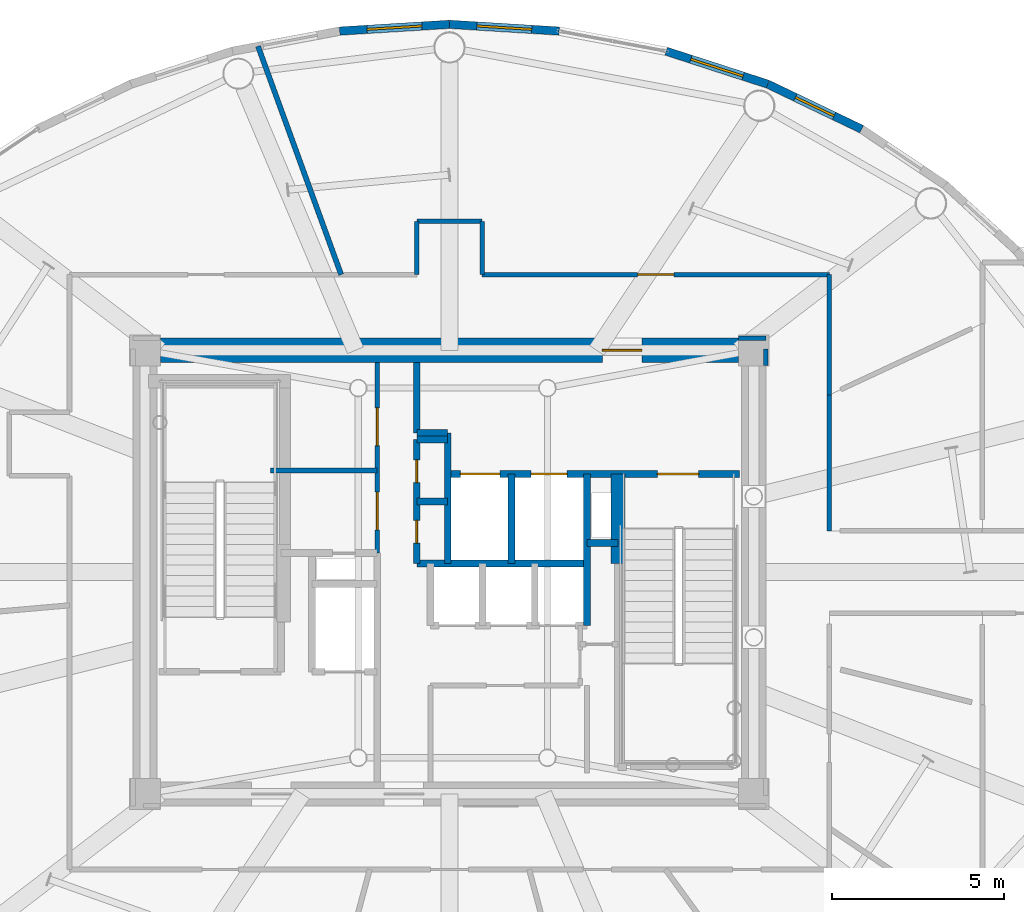
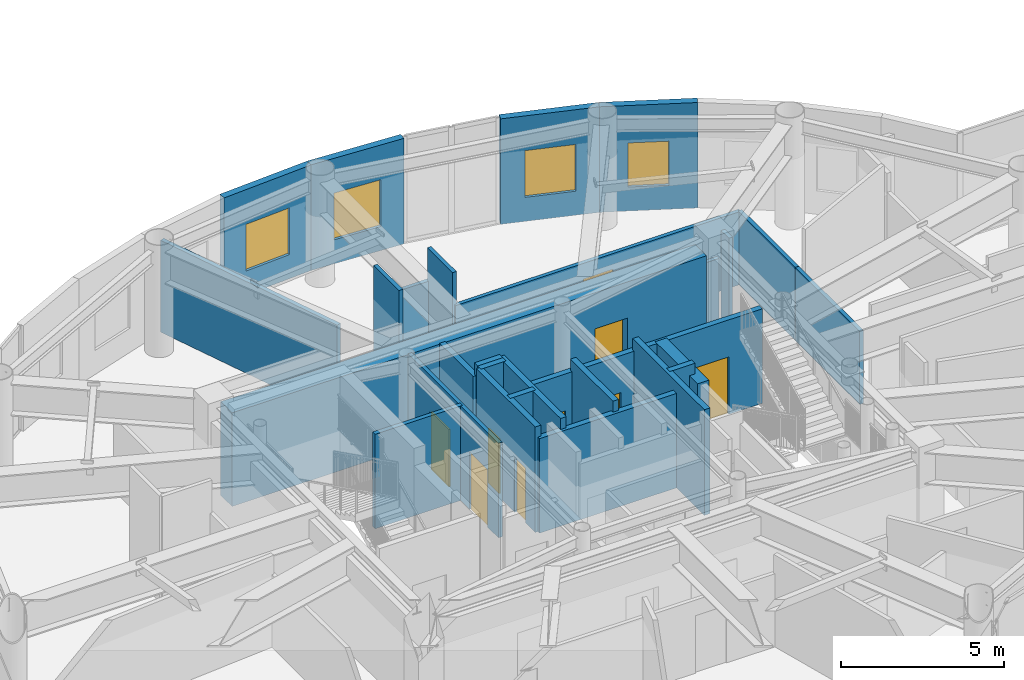
# One storey, part 18 of 26: 28 walls, 9 doors, 4 windows, 13 openings.
"""IFC4 building model written with IfcOpenShell, lengths in metres."""

from ifc_helpers import new_model, si_unit, direction, frame, frame_2d, origin, origin_2d, place, context, subcontext, project, spatial, rectangle, extrude, source, transform, mapped, material, layer, layer_set, type_object, element, fill, save


model = new_model("IFC4")

# Units and contexts
model_context = context("Model", 3, precision=1e-05, world=origin(), true_north=direction((0.0, 1.0)))
body_context = subcontext(model_context, "Body", "Model", "MODEL_VIEW")
ifc_project = project(units=[si_unit("LENGTHUNIT", "METRE"), si_unit("AREAUNIT", "SQUARE_METRE"), si_unit("VOLUMEUNIT", "CUBIC_METRE"), si_unit("PLANEANGLEUNIT", "RADIAN"), si_unit("MASSUNIT", "GRAM", prefix="KILO")], contexts=[model_context])

# Site, building, storey
site_placement = place(None, origin())
site = spatial("IfcSite", under=ifc_project, at=site_placement, CompositionType="ELEMENT")
building_placement = place(site_placement, origin())
building = spatial("IfcBuilding", under=site, at=building_placement, Name="Linh Dai School and Residence Tower", CompositionType="ELEMENT")
storey_placement = place(building_placement, frame((0.0, 0.0, 351.0)))
storey = spatial("IfcBuildingStorey", under=building, at=storey_placement, Name="L87", CompositionType="ELEMENT", Elevation=351.0)

# Wall, opening, window
ifc_material_1 = material(Name="Precast Concrete B45 (C35/45)", Category="concrete")
ifc_layer_1 = layer(ifc_material_1, 0.239990234375)
ifc_layer_set_1 = layer_set([ifc_layer_1], Name="Precast Concrete B45 (C35/45)")
wall_type_1 = type_object("IfcWallType", Name="EW-TC-240", PredefinedType="SOLIDWALL", material=ifc_layer_set_1)
wall_1_placement = place(storey_placement, frame((45.260498046875, 41.18896484375, 0.0), z_axis=(0.0, 0.0, 1.0), x_axis=(0.901557057889, -0.432660226241, 0.0)))
wall_1 = element("IfcWall", 1, at=wall_1_placement, inside=storey, type_object=wall_type_1, Name="L87 Terracotta Exterior Wall 07", PredefinedType="SOLIDWALL", context=body_context, shape_type="SweptSolid", body=[
    extrude(rectangle(XDim=3.025146484375, YDim=0.239990234375, at=frame_2d((1.5126953125, 0.0))), origin(), (0.0, 0.0, 1.0), 3.949951171875),
])
opening_1_placement = place(wall_1_placement, frame((0.887451171875, 0.0, 0.89990234375)))
opening_1 = element("IfcOpeningElement", 2, at=opening_1_placement, cuts=wall_1, Name="Opening W3", PredefinedType="OPENING", context=body_context, shape_type="SweptSolid", body=[
    extrude(rectangle(XDim=1.25, YDim=1.64990234375, at=origin_2d()), frame((0.625, 0.1298828125, 0.824951171875), z_axis=(0.0, -1.0, 0.0), x_axis=(1.0, 0.0, 0.0)), (0.0, 0.0, 1.0), 0.260009765625),
])
ifc_material_2 = material(Name="Double Low-E Insulated Glazing", Category="glass")
window_type_1 = type_object("IfcWindowType", Name="WN-RES-1250x1650", PartitioningType="SINGLE_PANEL", PredefinedType="WINDOW", material=ifc_material_2)
shared_shape_1 = source(origin(), body_context, "Body", "SweptSolid", [
    extrude(rectangle(XDim=1.25, YDim=1.64990234375, at=origin_2d()), frame((0.625, 0.030029296875, 0.824951171875), z_axis=(0.0, -1.0, 0.0), x_axis=(1.0, 0.0, 0.0)), (0.0, 0.0, 1.0), 0.06005859375),
])
window_1_placement = place(opening_1_placement, origin())
window_1 = element("IfcWindow", 3, at=window_1_placement, inside=storey, type_object=window_type_1, Name="L87 Exterior Window 07.1", OverallHeight=1.64990234375, OverallWidth=1.25, PartitioningType="SINGLE_PANEL", PredefinedType="WINDOW", context=body_context, shape_type="MappedRepresentation", body=[
    mapped(shared_shape_1, transform((0.0, 0.0, 0.0), x_axis=(1.0, 0.0, 0.0), y_axis=(0.0, 1.0, 0.0), z_axis=(0.0, 0.0, 1.0), scale=1.0)),
])
fill(opening_1, window_1)

wall_2_placement = place(storey_placement, frame((42.303955078125, 42.14794921875, 0.0), z_axis=(0.0, 0.0, 1.0), x_axis=(0.951212850731, -0.308535431682, 0.0)))
wall_2 = element("IfcWall", 4, at=wall_2_placement, inside=storey, type_object=wall_type_1, Name="L87 Terracotta Exterior Wall 08", PredefinedType="SOLIDWALL", context=body_context, shape_type="SweptSolid", body=[
    extrude(rectangle(XDim=3.108154296875, YDim=0.239990234375, at=frame_2d((1.55419921875, 0.0))), origin(), (0.0, 0.0, 1.0), 3.949951171875),
])
opening_2_placement = place(wall_2_placement, frame((0.75390625, 0.0, 0.89990234375)))
opening_2 = element("IfcOpeningElement", 5, at=opening_2_placement, cuts=wall_2, Name="Opening W2", PredefinedType="OPENING", context=body_context, shape_type="SweptSolid", body=[
    extrude(rectangle(XDim=1.60009765625, YDim=1.75, at=origin_2d()), frame((0.800048828125, 0.1298828125, 0.875), z_axis=(0.0, -1.0, 0.0), x_axis=(1.0, 0.0, 0.0)), (0.0, 0.0, 1.0), 0.260009765625),
])
window_type_2 = type_object("IfcWindowType", Name="WN-RES-1600x1750", PartitioningType="DOUBLE_PANEL_VERTICAL", PredefinedType="WINDOW", material=ifc_material_2)
shared_shape_2 = source(origin(), body_context, "Body", "SweptSolid", [
    extrude(rectangle(XDim=1.60009765625, YDim=1.75, at=origin_2d()), frame((0.800048828125, 0.030029296875, 0.875), z_axis=(0.0, -1.0, 0.0), x_axis=(1.0, 0.0, 0.0)), (0.0, 0.0, 1.0), 0.06005859375),
])
window_2_placement = place(opening_2_placement, origin())
window_2 = element("IfcWindow", 6, at=window_2_placement, inside=storey, type_object=window_type_2, Name="L87 Exterior Window 08.1", OverallHeight=1.75, OverallWidth=1.60009765625, PartitioningType="DOUBLE_PANEL_VERTICAL", PredefinedType="WINDOW", context=body_context, shape_type="MappedRepresentation", body=[
    mapped(shared_shape_2, transform((0.0, 0.0, 0.0), x_axis=(1.0, 0.0, 0.0), y_axis=(0.0, 1.0, 0.0), z_axis=(0.0, 0.0, 1.0), scale=1.0)),
])
fill(opening_2, window_2)

wall_3_placement = place(storey_placement, frame((36.0, 42.929931640625, 0.0), z_axis=(0.0, 0.0, 1.0), x_axis=(0.998109204399, -0.061465568355, 0.0)))
wall_3 = element("IfcWall", 7, at=wall_3_placement, inside=storey, type_object=wall_type_1, Name="L87 Terracotta Exterior Wall 10", PredefinedType="SOLIDWALL", context=body_context, shape_type="SweptSolid", body=[
    extrude(rectangle(XDim=3.197509765625, YDim=0.239990234375, at=frame_2d((1.5986328125, 0.0))), origin(), (0.0, 0.0, 1.0), 3.949951171875),
])
opening_3_placement = place(wall_3_placement, frame((0.798828125, 0.0, 0.89990234375)))
opening_3 = element("IfcOpeningElement", 8, at=opening_3_placement, cuts=wall_3, Name="Opening W2", PredefinedType="OPENING", context=body_context, shape_type="SweptSolid", body=[
    extrude(rectangle(XDim=1.60009765625, YDim=1.75, at=origin_2d()), frame((0.800048828125, 0.1298828125, 0.875), z_axis=(0.0, -1.0, 0.0), x_axis=(1.0, 0.0, 0.0)), (0.0, 0.0, 1.0), 0.260009765625),
])
window_3_placement = place(opening_3_placement, origin())
window_3 = element("IfcWindow", 9, at=window_3_placement, inside=storey, type_object=window_type_2, Name="L87 Exterior Window 10.1", OverallHeight=1.75, OverallWidth=1.60009765625, PartitioningType="DOUBLE_PANEL_VERTICAL", PredefinedType="WINDOW", context=body_context, shape_type="MappedRepresentation", body=[
    mapped(shared_shape_2, transform((0.0, 0.0, 0.0), x_axis=(1.0, 0.0, 0.0), y_axis=(0.0, 1.0, 0.0), z_axis=(0.0, 0.0, 1.0), scale=1.0)),
])
fill(opening_3, window_3)

wall_4_placement = place(storey_placement, frame((32.80859375, 42.7333984375, 0.0), z_axis=(0.0, 0.0, 1.0), x_axis=(0.998109204399, 0.061465568355, 0.0)))
wall_4 = element("IfcWall", 10, at=wall_4_placement, inside=storey, type_object=wall_type_1, Name="L87 Terracotta Exterior Wall 11", PredefinedType="SOLIDWALL", context=body_context, shape_type="SweptSolid", body=[
    extrude(rectangle(XDim=3.197509765625, YDim=0.239990234375, at=frame_2d((1.5986328125, 0.0))), origin(), (0.0, 0.0, 1.0), 3.949951171875),
])
opening_4_placement = place(wall_4_placement, frame((0.798828125, 0.0, 0.89990234375)))
opening_4 = element("IfcOpeningElement", 11, at=opening_4_placement, cuts=wall_4, Name="Opening W2", PredefinedType="OPENING", context=body_context, shape_type="SweptSolid", body=[
    extrude(rectangle(XDim=1.60009765625, YDim=1.75, at=origin_2d()), frame((0.800048828125, 0.1298828125, 0.875), z_axis=(0.0, -1.0, 0.0), x_axis=(1.0, 0.0, 0.0)), (0.0, 0.0, 1.0), 0.260009765625),
])
window_4_placement = place(opening_4_placement, origin())
window_4 = element("IfcWindow", 12, at=window_4_placement, inside=storey, type_object=window_type_2, Name="L87 Exterior Window 11.1", OverallHeight=1.75, OverallWidth=1.60009765625, PartitioningType="DOUBLE_PANEL_VERTICAL", PredefinedType="WINDOW", context=body_context, shape_type="MappedRepresentation", body=[
    mapped(shared_shape_2, transform((0.0, 0.0, 0.0), x_axis=(1.0, 0.0, 0.0), y_axis=(0.0, 1.0, 0.0), z_axis=(0.0, 0.0, 1.0), scale=1.0)),
])
fill(opening_4, window_4)

# Wall, openings, doors
ifc_material_3 = material(Name="Autoclaved Aerated Concrete Blockwork", Category="masonry")
ifc_layer_2 = layer(ifc_material_3, 0.135009765625)
ifc_layer_set_2 = layer_set([ifc_layer_2], Name="Autoclaved Aerated Concrete Blockwork")
wall_type_2 = type_object("IfcWallType", Name="IW-CORR-135-EI90", PredefinedType="PARTITIONING", material=ifc_layer_set_2)
wall_5_placement = place(storey_placement, frame((33.89990234375, 27.56005859375, 0.0), z_axis=(0.0, 0.0, 1.0), x_axis=(0.0, 1.0, 0.0)))
wall_5 = element("IfcWall", 13, at=wall_5_placement, inside=storey, type_object=wall_type_2, Name="L87 Interior Partition Wall 019", PredefinedType="PARTITIONING", context=body_context, shape_type="SweptSolid", body=[
    extrude(rectangle(XDim=5.5400390625, YDim=0.135009765625, at=frame_2d((2.77001953125, 0.0))), origin(), (0.0, 0.0, 1.0), 3.534912109375),
])
opening_5_placement = place(wall_5_placement, frame((0.6650390625, 0.0, 0.0)))
opening_5 = element("IfcOpeningElement", 14, at=opening_5_placement, cuts=wall_5, Name="Opening D07", PredefinedType="OPENING", context=body_context, shape_type="SweptSolid", body=[
    extrude(rectangle(XDim=1.10009765625, YDim=2.14990234375, at=origin_2d()), frame((0.550048828125, 0.07763671875, 1.074951171875), z_axis=(0.0, -1.0, 0.0), x_axis=(1.0, 0.0, 0.0)), (0.0, 0.0, 1.0), 0.155029296875),
])
opening_6_placement = place(wall_5_placement, frame((3.117431640625, 0.0, 0.0)))
opening_6 = element("IfcOpeningElement", 15, at=opening_6_placement, cuts=wall_5, Name="Opening D07", PredefinedType="OPENING", context=body_context, shape_type="SweptSolid", body=[
    extrude(rectangle(XDim=1.10009765625, YDim=2.14990234375, at=origin_2d()), frame((0.550048828125, 0.07763671875, 1.074951171875), z_axis=(0.0, -1.0, 0.0), x_axis=(1.0, 0.0, 0.0)), (0.0, 0.0, 1.0), 0.155029296875),
])
ifc_material_4 = material(Name="Fire-Rated Louvred Steel Plant Door", Category="steel")
door_type_1 = type_object("IfcDoorType", Name="DR-PLT-1100x2150-FD60S", OperationType="NOTDEFINED", PredefinedType="DOOR", material=ifc_material_4)
shared_shape_3 = source(origin(), body_context, "Body", "SweptSolid", [
    extrude(rectangle(XDim=1.10009765625, YDim=2.14990234375, at=origin_2d()), frame((0.550048828125, 0.02490234375, 1.074951171875), z_axis=(0.0, -1.0, 0.0), x_axis=(1.0, 0.0, 0.0)), (0.0, 0.0, 1.0), 0.050048828125),
])
door_1_placement = place(opening_5_placement, origin())
door_1 = element("IfcDoor", 16, at=door_1_placement, inside=storey, type_object=door_type_1, Name="L87 BMS and Data Room Door", OperationType="SINGLE_SWING_LEFT", OverallHeight=2.14990234375, OverallWidth=1.10009765625, PredefinedType="DOOR", context=body_context, shape_type="MappedRepresentation", body=[
    mapped(shared_shape_3, transform((0.0, 0.0, 0.0), x_axis=(1.0, 0.0, 0.0), y_axis=(0.0, 1.0, 0.0), z_axis=(0.0, 0.0, 1.0), scale=1.0)),
])
fill(opening_5, door_1)
door_2_placement = place(opening_6_placement, origin())
door_2 = element("IfcDoor", 17, at=door_2_placement, inside=storey, type_object=door_type_1, Name="L87 Housekeeping Linen Room Door", OperationType="SINGLE_SWING_RIGHT", OverallHeight=2.14990234375, OverallWidth=1.10009765625, PredefinedType="DOOR", context=body_context, shape_type="MappedRepresentation", body=[
    mapped(shared_shape_3, transform((0.0, 0.0, 0.0), x_axis=(1.0, 0.0, 0.0), y_axis=(0.0, 1.0, 0.0), z_axis=(0.0, 0.0, 1.0), scale=1.0)),
])
fill(opening_6, door_2)

# Walls
wall_6_placement = place(storey_placement, frame((35.050048828125, 35.64990234375, 0.0), z_axis=(0.0, 0.0, 1.0), x_axis=(0.0, 1.0, 0.0)))
element("IfcWall", 18, at=wall_6_placement, inside=storey, type_object=wall_type_2, Name="L87 Interior Partition Wall 026", PredefinedType="PARTITIONING", context=body_context, shape_type="SweptSolid", body=[
    extrude(rectangle(XDim=1.550048828125, YDim=0.135009765625, at=frame_2d((0.77490234375, 0.0))), origin(), (0.0, 0.0, 1.0), 3.949951171875),
])
wall_7_placement = place(storey_placement, frame((35.050048828125, 37.199951171875, 0.0), z_axis=(0.0, 0.0, 1.0), x_axis=(1.0, 0.0, 0.0)))
element("IfcWall", 19, at=wall_7_placement, inside=storey, type_object=wall_type_2, Name="L87 Interior Partition Wall 027", PredefinedType="PARTITIONING", context=body_context, shape_type="SweptSolid", body=[
    extrude(rectangle(XDim=1.89990234375, YDim=0.135009765625, at=frame_2d((0.949951171875, 0.0))), origin(), (0.0, 0.0, 1.0), 2.735107421875),
])
wall_8_placement = place(storey_placement, frame((36.949951171875, 35.64990234375, 0.0), z_axis=(0.0, 0.0, 1.0), x_axis=(0.0, 1.0, 0.0)))
element("IfcWall", 20, at=wall_8_placement, inside=storey, type_object=wall_type_2, Name="L87 Interior Partition Wall 034", PredefinedType="PARTITIONING", context=body_context, shape_type="SweptSolid", body=[
    extrude(rectangle(XDim=1.550048828125, YDim=0.135009765625, at=frame_2d((0.77490234375, 0.0))), origin(), (0.0, 0.0, 1.0), 3.949951171875),
])

# Wall, opening, door
wall_9_placement = place(storey_placement, frame((36.949951171875, 35.64990234375, 0.0), z_axis=(0.0, 0.0, 1.0), x_axis=(1.0, 0.0, 0.0)))
wall_9 = element("IfcWall", 21, at=wall_9_placement, inside=storey, type_object=wall_type_2, Name="L87 Interior Partition Wall 035", PredefinedType="PARTITIONING", context=body_context, shape_type="SweptSolid", body=[
    extrude(rectangle(XDim=10.10009765625, YDim=0.135009765625, at=frame_2d((5.050048828125, 0.0))), origin(), (0.0, 0.0, 1.0), 2.735107421875),
])
opening_7_placement = place(wall_9_placement, frame((4.52490234375, 0.0, 0.0)))
opening_7 = element("IfcOpeningElement", 22, at=opening_7_placement, cuts=wall_9, Name="Opening D04", PredefinedType="OPENING", context=body_context, shape_type="SweptSolid", body=[
    extrude(rectangle(XDim=1.050048828125, YDim=2.14990234375, at=origin_2d()), frame((0.52490234375, 0.07763671875, 1.074951171875), z_axis=(0.0, -1.0, 0.0), x_axis=(1.0, 0.0, 0.0)), (0.0, 0.0, 1.0), 0.155029296875),
])
ifc_material_5 = material(Name="Acoustic Vision-Panel Timber Classroom Door", Category="wood")
door_type_2 = type_object("IfcDoorType", Name="DR-SCH-1050x2150-FD60S", OperationType="NOTDEFINED", PredefinedType="DOOR", material=ifc_material_5)
shared_shape_4 = source(origin(), body_context, "Body", "SweptSolid", [
    extrude(rectangle(XDim=1.050048828125, YDim=2.14990234375, at=origin_2d()), frame((0.52490234375, 0.02490234375, 1.074951171875), z_axis=(0.0, -1.0, 0.0), x_axis=(1.0, 0.0, 0.0)), (0.0, 0.0, 1.0), 0.050048828125),
])
door_3_placement = place(opening_7_placement, origin())
door_3 = element("IfcDoor", 23, at=door_3_placement, inside=storey, type_object=door_type_2, Name="L87 Da Nang Coastal Architecture Exhibition Gallery Door", OperationType="SINGLE_SWING_RIGHT", OverallHeight=2.14990234375, OverallWidth=1.050048828125, PredefinedType="DOOR", context=body_context, shape_type="MappedRepresentation", body=[
    mapped(shared_shape_4, transform((0.0, 0.0, 0.0), x_axis=(1.0, 0.0, 0.0), y_axis=(0.0, 1.0, 0.0), z_axis=(0.0, 0.0, 1.0), scale=1.0)),
])
fill(opening_7, door_3)

# Walls
wall_10_placement = place(storey_placement, frame((47.050048828125, 32.152587890625, 0.0), z_axis=(0.0, 0.0, 1.0), x_axis=(0.0, 1.0, 0.0)))
element("IfcWall", 24, at=wall_10_placement, inside=storey, type_object=wall_type_2, Name="L87 Interior Partition Wall 051", PredefinedType="PARTITIONING", context=body_context, shape_type="SweptSolid", body=[
    extrude(rectangle(XDim=3.497314453125, YDim=0.135009765625, at=frame_2d((1.74853515625, 0.0))), origin(), (0.0, 0.0, 1.0), 2.735107421875),
])
wall_11_placement = place(storey_placement, frame((47.050048828125, 32.142578125, 0.0), z_axis=(0.0, 0.0, 1.0), x_axis=(0.0, -1.0, 0.0)))
element("IfcWall", 25, at=wall_11_placement, inside=storey, type_object=wall_type_2, Name="L87 Interior Partition Wall 061", PredefinedType="PARTITIONING", context=body_context, shape_type="SweptSolid", body=[
    extrude(rectangle(XDim=3.942626953125, YDim=0.135009765625, at=frame_2d((1.97119140625, 0.0))), origin(), (0.0, 0.0, 1.0), 2.735107421875),
])
wall_12_placement = place(storey_placement, frame((45.199951171875, 33.800048828125, 0.0), z_axis=(0.0, 0.0, 1.0), x_axis=(-1.0, 0.0, 0.0)))
element("IfcWall", 26, at=wall_12_placement, inside=storey, type_object=wall_type_2, Name="L87 Interior Partition Wall 065", PredefinedType="PARTITIONING", context=body_context, shape_type="SweptSolid", body=[
    extrude(rectangle(XDim=0.7900390625, YDim=0.135009765625, at=frame_2d((0.39501953125, 0.0))), origin(), (0.0, 0.0, 1.0), 2.735107421875),
])
wall_13_placement = place(storey_placement, frame((45.199951171875, 33.010009765625, 0.0), z_axis=(0.0, 0.0, 1.0), x_axis=(0.0, 1.0, 0.0)))
element("IfcWall", 27, at=wall_13_placement, inside=storey, type_object=wall_type_2, Name="L87 Interior Partition Wall 072", PredefinedType="PARTITIONING", context=body_context, shape_type="SweptSolid", body=[
    extrude(rectangle(XDim=0.482421875, YDim=0.135009765625, at=frame_2d((0.2412109375, 0.0))), origin(), (0.0, 0.0, 1.0), 3.949951171875),
])
ifc_layer_3 = layer(ifc_material_3, 0.14990234375)
ifc_layer_set_3 = layer_set([ifc_layer_3], Name="Autoclaved Aerated Concrete Blockwork")
wall_type_3 = type_object("IfcWallType", Name="IW-SCH-150-EI60", PredefinedType="PARTITIONING", material=ifc_layer_set_3)
wall_14_placement = place(storey_placement, frame((30.43408203125, 42.2919921875, 0.0), z_axis=(0.0, 0.0, 1.0), x_axis=(0.342014830496, -0.939694554481, 0.0)))
element("IfcWall", 28, at=wall_14_placement, inside=storey, type_object=wall_type_3, Name="L87 Interior Partition Wall 010", PredefinedType="PARTITIONING", context=body_context, shape_type="SweptSolid", body=[
    extrude(rectangle(XDim=7.068359375, YDim=0.14990234375, at=frame_2d((3.5341796875, 0.0))), origin(), (0.0, 0.0, 1.0), 3.43505859375),
])
wall_15_placement = place(storey_placement, frame((30.800048828125, 29.949951171875, 0.0), z_axis=(0.0, 0.0, 1.0), x_axis=(1.0, 0.0, 0.0)))
element("IfcWall", 29, at=wall_15_placement, inside=storey, type_object=wall_type_3, Name="L87 Interior Partition Wall 011", PredefinedType="PARTITIONING", context=body_context, shape_type="SweptSolid", body=[
    extrude(rectangle(XDim=3.099853515625, YDim=0.14990234375, at=frame_2d((1.5498046875, 0.0))), origin(), (0.0, 0.0, 1.0), 3.534912109375),
])

# Wall, openings, doors
ifc_material_6 = material(Name="Concrete B45 (C35/45)", Category="concrete")
ifc_layer_4 = layer(ifc_material_6, 0.199951171875)
ifc_layer_set_4 = layer_set([ifc_layer_4], Name="Concrete B45 (C35/45)")
wall_type_4 = type_object("IfcWallType", Name="IW-SHAFT-200-EI120", PredefinedType="PARTITIONING", material=ifc_layer_set_4)
wall_16_placement = place(storey_placement, frame((35.050048828125, 27.25, 0.0), z_axis=(0.0, 0.0, 1.0), x_axis=(0.0, 1.0, 0.0)))
wall_16 = element("IfcWall", 30, at=wall_16_placement, inside=storey, type_object=wall_type_4, Name="L87 Interior Partition Wall 020", PredefinedType="PARTITIONING", context=body_context, shape_type="SweptSolid", body=[
    extrude(rectangle(XDim=3.60009765625, YDim=0.199951171875, at=frame_2d((1.800048828125, 0.0))), origin(), (0.0, 0.0, 1.0), 3.949951171875),
])
opening_8_placement = place(wall_16_placement, frame((0.590087890625, 0.0, 0.0)))
opening_8 = element("IfcOpeningElement", 31, at=opening_8_placement, cuts=wall_16, Name="Opening AD1", PredefinedType="OPENING", context=body_context, shape_type="SweptSolid", body=[
    extrude(rectangle(XDim=0.659912109375, YDim=2.050048828125, at=origin_2d()), frame((0.330078125, 0.10986328125, 1.02490234375), z_axis=(0.0, -1.0, 0.0), x_axis=(1.0, 0.0, 0.0)), (0.0, 0.0, 1.0), 0.219970703125),
])
opening_9_placement = place(wall_16_placement, frame((2.35009765625, 0.0, 0.0)))
opening_9 = element("IfcOpeningElement", 32, at=opening_9_placement, cuts=wall_16, Name="Opening AD1", PredefinedType="OPENING", context=body_context, shape_type="SweptSolid", body=[
    extrude(rectangle(XDim=0.659912109375, YDim=2.050048828125, at=origin_2d()), frame((0.330078125, 0.10986328125, 1.02490234375), z_axis=(0.0, -1.0, 0.0), x_axis=(1.0, 0.0, 0.0)), (0.0, 0.0, 1.0), 0.219970703125),
])
ifc_material_7 = material(Name="Fire-Rated Steel Riser Access Door", Category="steel")
door_type_3 = type_object("IfcDoorType", Name="DR-ACC-660x2050-FD90S", OperationType="NOTDEFINED", PredefinedType="USERDEFINED", material=ifc_material_7)
shared_shape_5 = source(origin(), body_context, "Body", "SweptSolid", [
    extrude(rectangle(XDim=0.659912109375, YDim=2.050048828125, at=origin_2d()), frame((0.330078125, 0.02490234375, 1.02490234375), z_axis=(0.0, -1.0, 0.0), x_axis=(1.0, 0.0, 0.0)), (0.0, 0.0, 1.0), 0.050048828125),
])
door_4_placement = place(opening_8_placement, origin())
door_4 = element("IfcDoor", 33, at=door_4_placement, inside=storey, type_object=door_type_3, Name="L87 Telecom and Data Riser Access Door", ObjectType="ACCESS DOOR", OperationType="SINGLE_SWING_RIGHT", OverallHeight=2.050048828125, OverallWidth=0.659912109375, PredefinedType="USERDEFINED", context=body_context, shape_type="MappedRepresentation", body=[
    mapped(shared_shape_5, transform((0.0, 0.0, 0.0), x_axis=(1.0, 0.0, 0.0), y_axis=(0.0, 1.0, 0.0), z_axis=(0.0, 0.0, 1.0), scale=1.0)),
])
fill(opening_8, door_4)
door_5_placement = place(opening_9_placement, origin())
door_5 = element("IfcDoor", 34, at=door_5_placement, inside=storey, type_object=door_type_3, Name="L87 Mechanical and Plumbing Riser Access Door", ObjectType="ACCESS DOOR", OperationType="SINGLE_SWING_LEFT", OverallHeight=2.050048828125, OverallWidth=0.659912109375, PredefinedType="USERDEFINED", context=body_context, shape_type="MappedRepresentation", body=[
    mapped(shared_shape_5, transform((0.0, 0.0, 0.0), x_axis=(1.0, 0.0, 0.0), y_axis=(0.0, 1.0, 0.0), z_axis=(0.0, 0.0, 1.0), scale=1.0)),
])
fill(opening_9, door_5)

# Walls
wall_17_placement = place(storey_placement, frame((35.050048828125, 27.25, 0.0), z_axis=(0.0, 0.0, 1.0), x_axis=(1.0, 0.0, 0.0)))
element("IfcWall", 35, at=wall_17_placement, inside=storey, type_object=wall_type_4, Name="L87 Interior Partition Wall 021", PredefinedType="PARTITIONING", context=body_context, shape_type="SweptSolid", body=[
    extrude(rectangle(XDim=4.949951171875, YDim=0.199951171875, at=frame_2d((2.47509765625, 0.0))), origin(), (0.0, 0.0, 1.0), 3.534912109375),
])
for number, where, z_axis, x_axis, name in (
    (36, (35.050048828125, 29.050048828125, 0.0), (0.0, 0.0, 1.0), (1.0, 0.0, 0.0), "L87 Interior Partition Wall 022"),
    (37, (35.050048828125, 30.85009765625, 0.0), (0.0, 0.0, 1.0), (1.0, 0.0, 0.0), "L87 Interior Partition Wall 023"),
):
    element("IfcWall", number, at=place(storey_placement, frame(where, z_axis=z_axis, x_axis=x_axis)), inside=storey, type_object=wall_type_4, Name=name, PredefinedType="PARTITIONING", context=body_context, shape_type="SweptSolid", body=[
        extrude(rectangle(XDim=0.89990234375, YDim=0.199951171875, at=frame_2d((0.449951171875, 0.0))), origin(), (0.0, 0.0, 1.0), 3.949951171875),
    ])
wall_18_placement = place(storey_placement, frame((35.050048828125, 31.050048828125, 0.0), z_axis=(0.0, 0.0, 1.0), x_axis=(0.0, 1.0, 0.0)))
element("IfcWall", 38, at=wall_18_placement, inside=storey, type_object=wall_type_4, Name="L87 Interior Partition Wall 024", PredefinedType="PARTITIONING", context=body_context, shape_type="SweptSolid", body=[
    extrude(rectangle(XDim=2.050048828125, YDim=0.199951171875, at=frame_2d((1.02490234375, 0.0))), origin(), (0.0, 0.0, 1.0), 3.534912109375),
])
wall_19_placement = place(storey_placement, frame((35.050048828125, 31.050048828125, 0.0), z_axis=(0.0, 0.0, 1.0), x_axis=(1.0, 0.0, 0.0)))
element("IfcWall", 39, at=wall_19_placement, inside=storey, type_object=wall_type_4, Name="L87 Interior Partition Wall 025", PredefinedType="PARTITIONING", context=body_context, shape_type="SweptSolid", body=[
    extrude(rectangle(XDim=0.89990234375, YDim=0.199951171875, at=frame_2d((0.449951171875, 0.0))), origin(), (0.0, 0.0, 1.0), 3.949951171875),
])
wall_20_placement = place(storey_placement, frame((35.949951171875, 27.25, 0.0), z_axis=(0.0, 0.0, 1.0), x_axis=(0.0, 1.0, 0.0)))
element("IfcWall", 40, at=wall_20_placement, inside=storey, type_object=wall_type_4, Name="L87 Interior Partition Wall 032", PredefinedType="PARTITIONING", context=body_context, shape_type="SweptSolid", body=[
    extrude(rectangle(XDim=3.800048828125, YDim=0.199951171875, at=frame_2d((1.89990234375, 0.0))), origin(), (0.0, 0.0, 1.0), 3.949951171875),
])

# Wall, openings, doors
wall_21_placement = place(storey_placement, frame((35.949951171875, 29.85009765625, 0.0), z_axis=(0.0, 0.0, 1.0), x_axis=(1.0, 0.0, 0.0)))
wall_21 = element("IfcWall", 41, at=wall_21_placement, inside=storey, type_object=wall_type_4, Name="L87 Interior Partition Wall 033", PredefinedType="PARTITIONING", context=body_context, shape_type="SweptSolid", body=[
    extrude(rectangle(XDim=8.489990234375, YDim=0.199951171875, at=frame_2d((4.2451171875, 0.0))), origin(), (0.0, 0.0, 1.0), 3.534912109375),
])
opening_10_placement = place(wall_21_placement, frame((6.10009765625, 0.0, 0.0)))
opening_10 = element("IfcOpeningElement", 42, at=opening_10_placement, cuts=wall_21, Name="Opening D01", PredefinedType="OPENING", context=body_context, shape_type="SweptSolid", body=[
    extrude(rectangle(XDim=1.199951171875, YDim=2.14990234375, at=origin_2d()), frame((0.60009765625, 0.10986328125, 1.074951171875), z_axis=(0.0, -1.0, 0.0), x_axis=(1.0, 0.0, 0.0)), (0.0, 0.0, 1.0), 0.219970703125),
])
opening_11_placement = place(wall_21_placement, frame((0.3701171875, 0.0, 0.0)))
opening_11 = element("IfcOpeningElement", 43, at=opening_11_placement, cuts=wall_21, Name="Opening LD-FF1", PredefinedType="OPENING", context=body_context, shape_type="SweptSolid", body=[
    extrude(rectangle(XDim=1.14990234375, YDim=2.14990234375, at=origin_2d()), frame((0.574951171875, 0.10986328125, 1.074951171875), z_axis=(0.0, -1.0, 0.0), x_axis=(1.0, 0.0, 0.0)), (0.0, 0.0, 1.0), 0.219970703125),
])
opening_12_placement = place(wall_21_placement, frame((2.425048828125, 0.0, 0.0)))
opening_12 = element("IfcOpeningElement", 44, at=opening_12_placement, cuts=wall_21, Name="Opening LD-SV1", PredefinedType="OPENING", context=body_context, shape_type="SweptSolid", body=[
    extrude(rectangle(XDim=1.050048828125, YDim=2.14990234375, at=origin_2d()), frame((0.52490234375, 0.10986328125, 1.074951171875), z_axis=(0.0, -1.0, 0.0), x_axis=(1.0, 0.0, 0.0)), (0.0, 0.0, 1.0), 0.219970703125),
])
ifc_material_8 = material(Name="Fire-Rated Steel Door Leaf", Category="steel")
door_type_4 = type_object("IfcDoorType", Name="DR-STAIR-1200x2150-FD90S", OperationType="NOTDEFINED", PredefinedType="DOOR", material=ifc_material_8)
shared_shape_6 = source(origin(), body_context, "Body", "SweptSolid", [
    extrude(rectangle(XDim=1.199951171875, YDim=2.14990234375, at=origin_2d()), frame((0.60009765625, 0.02490234375, 1.074951171875), z_axis=(0.0, -1.0, 0.0), x_axis=(1.0, 0.0, 0.0)), (0.0, 0.0, 1.0), 0.050048828125),
])
door_6_placement = place(opening_10_placement, origin())
door_6 = element("IfcDoor", 45, at=door_6_placement, inside=storey, type_object=door_type_4, Name="L87 Core Smokeproof Exit Stair ST2 Door", OperationType="SINGLE_SWING_LEFT", OverallHeight=2.14990234375, OverallWidth=1.199951171875, PredefinedType="DOOR", context=body_context, shape_type="MappedRepresentation", body=[
    mapped(shared_shape_6, transform((0.0, 0.0, 0.0), x_axis=(1.0, 0.0, 0.0), y_axis=(0.0, 1.0, 0.0), z_axis=(0.0, 0.0, 1.0), scale=1.0)),
])
fill(opening_10, door_6)
ifc_material_9 = material(Name="Fire-Rated Stainless Steel Firefighting Lift Door", Category="steel")
door_type_5 = type_object("IfcDoorType", Name="DR-LD-FF-1150x2150-FD120", OperationType="DOUBLE_DOOR_SLIDING", PredefinedType="USERDEFINED", material=ifc_material_9)
shared_shape_7 = source(origin(), body_context, "Body", "SweptSolid", [
    extrude(rectangle(XDim=1.14990234375, YDim=2.14990234375, at=origin_2d()), frame((0.574951171875, 0.02490234375, 1.074951171875), z_axis=(0.0, -1.0, 0.0), x_axis=(1.0, 0.0, 0.0)), (0.0, 0.0, 1.0), 0.050048828125),
])
door_7_placement = place(opening_11_placement, origin())
door_7 = element("IfcDoor", 46, at=door_7_placement, inside=storey, type_object=door_type_5, Name="L87 Lift FF1 Sliding Landing Door", ObjectType="LANDING DOOR", OperationType="DOUBLE_DOOR_SLIDING", OverallHeight=2.14990234375, OverallWidth=1.14990234375, PredefinedType="USERDEFINED", context=body_context, shape_type="MappedRepresentation", body=[
    mapped(shared_shape_7, transform((0.0, 0.0, 0.0), x_axis=(1.0, 0.0, 0.0), y_axis=(0.0, 1.0, 0.0), z_axis=(0.0, 0.0, 1.0), scale=1.0)),
])
fill(opening_11, door_7)
ifc_material_10 = material(Name="Brushed Stainless Steel Lift Landing Door", Category="steel")
door_type_6 = type_object("IfcDoorType", Name="DR-LD-PASS-1050x2150", OperationType="DOUBLE_DOOR_SLIDING", PredefinedType="USERDEFINED", material=ifc_material_10)
shared_shape_8 = source(origin(), body_context, "Body", "SweptSolid", [
    extrude(rectangle(XDim=1.050048828125, YDim=2.14990234375, at=origin_2d()), frame((0.52490234375, 0.02490234375, 1.074951171875), z_axis=(0.0, -1.0, 0.0), x_axis=(1.0, 0.0, 0.0)), (0.0, 0.0, 1.0), 0.050048828125),
])
door_8_placement = place(opening_12_placement, origin())
door_8 = element("IfcDoor", 47, at=door_8_placement, inside=storey, type_object=door_type_6, Name="L87 Lift SV1 Sliding Landing Door", ObjectType="LANDING DOOR", OperationType="DOUBLE_DOOR_SLIDING", OverallHeight=2.14990234375, OverallWidth=1.050048828125, PredefinedType="USERDEFINED", context=body_context, shape_type="MappedRepresentation", body=[
    mapped(shared_shape_8, transform((0.0, 0.0, 0.0), x_axis=(1.0, 0.0, 0.0), y_axis=(0.0, 1.0, 0.0), z_axis=(0.0, 0.0, 1.0), scale=1.0)),
])
fill(opening_12, door_8)

# Walls
wall_22_placement = place(storey_placement, frame((37.800048828125, 27.25, 0.0), z_axis=(0.0, 0.0, 1.0), x_axis=(0.0, 1.0, 0.0)))
element("IfcWall", 48, at=wall_22_placement, inside=storey, type_object=wall_type_4, Name="L87 Interior Partition Wall 037", PredefinedType="PARTITIONING", context=body_context, shape_type="SweptSolid", body=[
    extrude(rectangle(XDim=2.60009765625, YDim=0.199951171875, at=frame_2d((1.300048828125, 0.0))), origin(), (0.0, 0.0, 1.0), 3.949951171875),
])
wall_23_placement = place(storey_placement, frame((40.0, 25.449951171875, 0.0), z_axis=(0.0, 0.0, 1.0), x_axis=(0.0, 1.0, 0.0)))
element("IfcWall", 49, at=wall_23_placement, inside=storey, type_object=wall_type_4, Name="L87 Interior Partition Wall 043", PredefinedType="PARTITIONING", context=body_context, shape_type="SweptSolid", body=[
    extrude(rectangle(XDim=4.400146484375, YDim=0.199951171875, at=frame_2d((2.2001953125, 0.0))), origin(), (0.0, 0.0, 1.0), 3.949951171875),
])
wall_24_placement = place(storey_placement, frame((40.0, 27.85009765625, 0.0), z_axis=(0.0, 0.0, 1.0), x_axis=(1.0, 0.0, 0.0)))
element("IfcWall", 50, at=wall_24_placement, inside=storey, type_object=wall_type_4, Name="L87 Interior Partition Wall 044", PredefinedType="PARTITIONING", context=body_context, shape_type="SweptSolid", body=[
    extrude(rectangle(XDim=0.89990234375, YDim=0.199951171875, at=frame_2d((0.449951171875, 0.0))), origin(), (0.0, 0.0, 1.0), 3.949951171875),
])
ifc_layer_5 = layer(ifc_material_6, 0.39990234375)
ifc_layer_set_5 = layer_set([ifc_layer_5], Name="Concrete B45 (C35/45)")
wall_type_5 = type_object("IfcWallType", Name="WL-CORE400", PredefinedType="SHEAR", material=ifc_layer_set_5)
wall_25_placement = place(storey_placement, frame((40.89990234375, 27.25, 0.0), z_axis=(0.0, 0.0, 1.0), x_axis=(0.0, 1.0, 0.0)))
element("IfcWall", 51, at=wall_25_placement, inside=storey, type_object=wall_type_5, Name="L87 Internal Core Shear Wall IE", PredefinedType="SHEAR", context=body_context, shape_type="SweptSolid", body=[
    extrude(rectangle(XDim=2.60009765625, YDim=0.39990234375, at=frame_2d((1.300048828125, 0.0))), origin(), (0.0, 0.0, 1.0), 3.550048828125),
])

# Wall, opening, door
ifc_layer_6 = layer(ifc_material_6, 0.699951171875)
ifc_layer_set_6 = layer_set([ifc_layer_6], Name="Concrete B45 (C35/45)")
wall_type_6 = type_object("IfcWallType", Name="WL-CORE700", PredefinedType="SHEAR", material=ifc_layer_set_6)
wall_26_placement = place(storey_placement, frame((27.60009765625, 33.449951171875, 0.0), z_axis=(0.0, 0.0, 1.0), x_axis=(1.0, 0.0, 0.0)))
wall_26 = element("IfcWall", 52, at=wall_26_placement, inside=storey, type_object=wall_type_6, Name="L87 Central Core Shear Wall N", PredefinedType="SHEAR", context=body_context, shape_type="SweptSolid", body=[
    extrude(rectangle(XDim=16.7998046875, YDim=0.699951171875, at=frame_2d((8.39990234375, 0.0))), origin(), (0.0, 0.0, 1.0), 3.5),
])
opening_13_placement = place(wall_26_placement, frame((12.85009765625, 0.0, 0.0)))
opening_13 = element("IfcOpeningElement", 53, at=opening_13_placement, cuts=wall_26, Name="Opening D02", PredefinedType="OPENING", context=body_context, shape_type="SweptSolid", body=[
    extrude(rectangle(XDim=1.14990234375, YDim=2.14990234375, at=origin_2d()), frame((0.574951171875, 0.35986328125, 1.074951171875), z_axis=(0.0, -1.0, 0.0), x_axis=(1.0, 0.0, 0.0)), (0.0, 0.0, 1.0), 0.719970703125),
])
ifc_material_11 = material(Name="Fire-Rated Glazed Steel Lobby Door", Category="steel")
door_type_7 = type_object("IfcDoorType", Name="DR-LOBBY-1150x2150-FD90S", OperationType="NOTDEFINED", PredefinedType="DOOR", material=ifc_material_11)
shared_shape_9 = source(origin(), body_context, "Body", "SweptSolid", [
    extrude(rectangle(XDim=1.14990234375, YDim=2.14990234375, at=origin_2d()), frame((0.574951171875, 0.02490234375, 1.074951171875), z_axis=(0.0, -1.0, 0.0), x_axis=(1.0, 0.0, 0.0)), (0.0, 0.0, 1.0), 0.050048828125),
])
door_9_placement = place(opening_13_placement, origin())
door_9 = element("IfcDoor", 54, at=door_9_placement, inside=storey, type_object=door_type_7, Name="L87 Firefighting Lobby Door", OperationType="SINGLE_SWING_RIGHT", OverallHeight=2.14990234375, OverallWidth=1.14990234375, PredefinedType="DOOR", context=body_context, shape_type="MappedRepresentation", body=[
    mapped(shared_shape_9, transform((0.0, 0.0, 0.0), x_axis=(1.0, 0.0, 0.0), y_axis=(0.0, 1.0, 0.0), z_axis=(0.0, 0.0, 1.0), scale=1.0)),
])
fill(opening_13, door_9)

save(model, "model.ifc")
